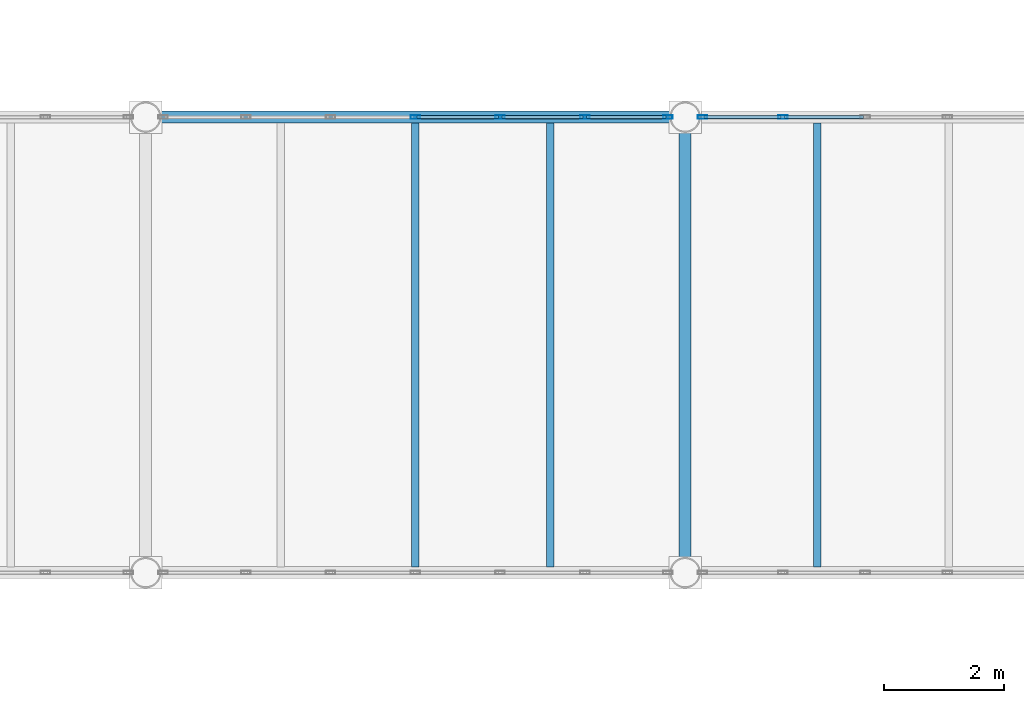
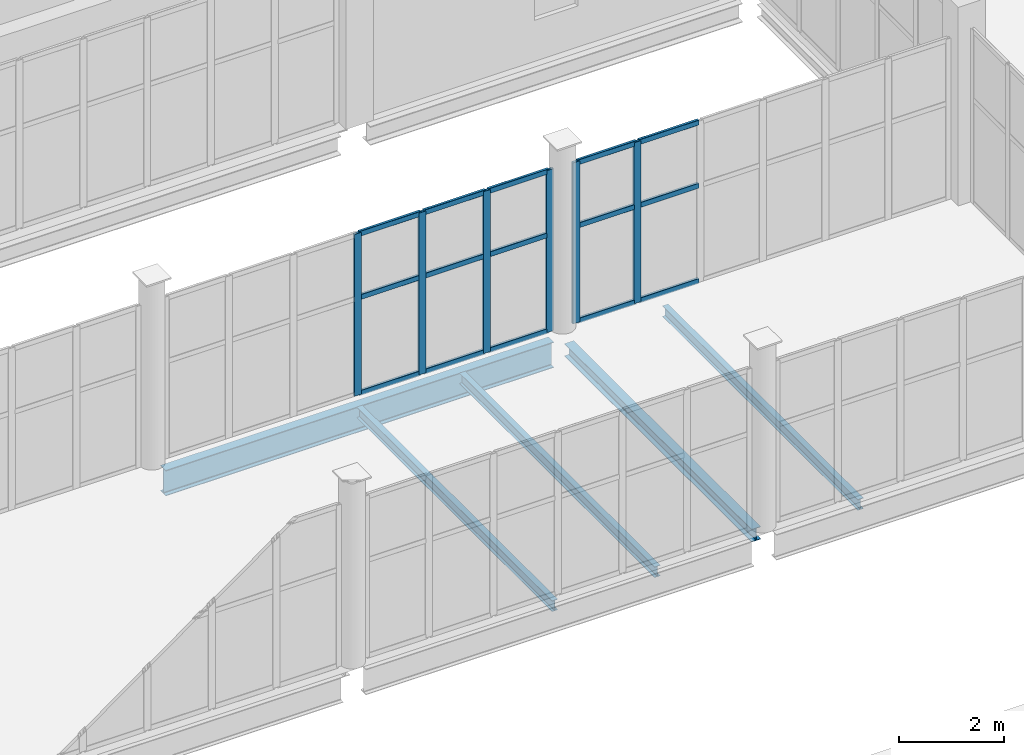
# One storey, part 86 of 136: 21 members, 5 beams, 2 elements without a shape of their own.
"""IFC4 building model written with IfcOpenShell, lengths in metres."""

from ifc_helpers import new_model, si_unit, direction, frame, origin, origin_2d, place, context, subcontext, project, spatial, hollow_rectangle, i_section, extrude, material, material_profile, profile_set, type_object, element, aggregate, save


model = new_model("IFC4")

# Units and contexts
model_context = context("Model", 3, precision=1e-05, world=origin(), true_north=direction((0.0, 1.0)))
body_context = subcontext(model_context, "Body", "Model", "MODEL_VIEW")
ifc_project = project(units=[si_unit("LENGTHUNIT", "METRE"), si_unit("AREAUNIT", "SQUARE_METRE"), si_unit("VOLUMEUNIT", "CUBIC_METRE"), si_unit("PLANEANGLEUNIT", "RADIAN"), si_unit("MASSUNIT", "GRAM", prefix="KILO")], contexts=[model_context])

# Site, building, storey
site_placement = place(None, origin())
site = spatial("IfcSite", under=ifc_project, at=site_placement, CompositionType="ELEMENT")
building_placement = place(site_placement, origin())
building = spatial("IfcBuilding", under=site, at=building_placement, Name="Shengluoqiao Park Theatre", CompositionType="ELEMENT")
storey_placement = place(building_placement, frame((0.0, 0.0, 10.0)))
storey = spatial("IfcBuildingStorey", under=building, at=storey_placement, Name="L02", CompositionType="ELEMENT", Elevation=10.0)

# Curtain wall, members
ifc_material_1 = material(Name="Aluminium 6063-T6", Category="aluminium")
curtain_wall_type = type_object("IfcCurtainWallType", Name="ENV-CW-BRIDGE", PredefinedType="NOTDEFINED", material=ifc_material_1)
curtain_wall_1_placement = place(storey_placement, origin())
curtain_wall_1 = element("IfcCurtainWall", 1, at=curtain_wall_1_placement, inside=storey, type_object=curtain_wall_type, Name="L02 Curtain Wall CWX-L02-0121", PredefinedType="NOTDEFINED")
ifc_material_profile_1 = material_profile(ifc_material_1, hollow_rectangle(XDim=0.06005859375, YDim=0.159912109375, WallThickness=0.00390625, InnerFilletRadius=0.00390625, OuterFilletRadius=0.008056640625, at=origin_2d()), Name="ALU MULLION 160x60x4")
ifc_profile_set_1 = profile_set([ifc_material_profile_1], Name="Aluminium 6063-T6")
member_type_1 = type_object("IfcMemberType", Name="ENV-MUL-160", PredefinedType="MULLION", material=ifc_profile_set_1)
member_1_placement = place(storey_placement, frame((143.89990234375, 76.0, 0.0), z_axis=(0.0, 0.0, 1.0), x_axis=(0.0, 1.0, 0.0)))
member_1 = element("IfcMember", 2, at=member_1_placement, type_object=member_type_1, Name="CW-03 mullion 4", PredefinedType="MULLION", context=body_context, shape_type="SweptSolid", body=[
    extrude(hollow_rectangle(XDim=0.06005859375, YDim=0.159912109375, WallThickness=0.00390625, InnerFilletRadius=0.00390625, OuterFilletRadius=0.008056640625, at=origin_2d()), origin(), (0.0, 0.0, 1.0), 3.751953125),
])
member_2_placement = place(storey_placement, frame((145.31396484375, 76.0, 0.0), z_axis=(0.0, 0.0, 1.0), x_axis=(0.0, 1.0, 0.0)))
member_2 = element("IfcMember", 3, at=member_2_placement, type_object=member_type_1, Name="CW-03 mullion 5", PredefinedType="MULLION", context=body_context, shape_type="SweptSolid", body=[
    extrude(hollow_rectangle(XDim=0.06005859375, YDim=0.159912109375, WallThickness=0.00390625, InnerFilletRadius=0.00390625, OuterFilletRadius=0.008056640625, at=origin_2d()), origin(), (0.0, 0.0, 1.0), 3.751953125),
])
member_3_placement = place(storey_placement, frame((146.72802734375, 76.0, 0.0), z_axis=(0.0, 0.0, 1.0), x_axis=(0.0, 1.0, 0.0)))
member_3 = element("IfcMember", 4, at=member_3_placement, type_object=member_type_1, Name="CW-03 mullion 6", PredefinedType="MULLION", context=body_context, shape_type="SweptSolid", body=[
    extrude(hollow_rectangle(XDim=0.06005859375, YDim=0.159912109375, WallThickness=0.00390625, InnerFilletRadius=0.00390625, OuterFilletRadius=0.008056640625, at=origin_2d()), origin(), (0.0, 0.0, 1.0), 3.751953125),
])
member_4_placement = place(storey_placement, frame((148.112060546875, 76.0, 0.0), z_axis=(0.0, 0.0, 1.0), x_axis=(0.0, 1.0, 0.0)))
member_4 = element("IfcMember", 5, at=member_4_placement, type_object=member_type_1, Name="CW-03 mullion 7", PredefinedType="MULLION", context=body_context, shape_type="SweptSolid", body=[
    extrude(hollow_rectangle(XDim=0.06005859375, YDim=0.159912109375, WallThickness=0.00390625, InnerFilletRadius=0.00390625, OuterFilletRadius=0.008056640625, at=origin_2d()), origin(), (0.0, 0.0, 1.0), 3.751953125),
])

curtain_wall_2_placement = place(storey_placement, origin())
curtain_wall_2 = element("IfcCurtainWall", 6, at=curtain_wall_2_placement, inside=storey, type_object=curtain_wall_type, Name="L02 Curtain Wall CWX-L02-0122", PredefinedType="NOTDEFINED")
member_5_placement = place(storey_placement, frame((148.68798828125, 76.0, 0.0), z_axis=(0.0, 0.0, 1.0), x_axis=(0.0, 1.0, 0.0)))
member_5 = element("IfcMember", 7, at=member_5_placement, type_object=member_type_1, Name="CW-03 mullion 1", PredefinedType="MULLION", context=body_context, shape_type="SweptSolid", body=[
    extrude(hollow_rectangle(XDim=0.06005859375, YDim=0.159912109375, WallThickness=0.00390625, InnerFilletRadius=0.00390625, OuterFilletRadius=0.008056640625, at=origin_2d()), origin(), (0.0, 0.0, 1.0), 3.73193359375),
])
member_6_placement = place(storey_placement, frame((150.031005859375, 76.0, 0.0), z_axis=(0.0, 0.0, 1.0), x_axis=(0.0, 1.0, 0.0)))
member_6 = element("IfcMember", 8, at=member_6_placement, type_object=member_type_1, Name="CW-03 mullion 2", PredefinedType="MULLION", context=body_context, shape_type="SweptSolid", body=[
    extrude(hollow_rectangle(XDim=0.06005859375, YDim=0.159912109375, WallThickness=0.00390625, InnerFilletRadius=0.00390625, OuterFilletRadius=0.008056640625, at=origin_2d()), origin(), (0.0, 0.0, 1.0), 3.73193359375),
])

# Member
ifc_material_profile_2 = material_profile(ifc_material_1, hollow_rectangle(XDim=0.06005859375, YDim=0.1201171875, WallThickness=0.00390625, InnerFilletRadius=0.00390625, OuterFilletRadius=0.008056640625, at=origin_2d()), Name="ALU TRANSOM 120x60x4")
ifc_profile_set_2 = profile_set([ifc_material_profile_2], Name="Aluminium 6063-T6")
member_type_2 = type_object("IfcMemberType", Name="ENV-TRN-120", PredefinedType="USERDEFINED", material=ifc_profile_set_2)
member_7_placement = place(storey_placement, frame((143.929931640625, 76.0, 0.030029296875), z_axis=(1.0, 0.0, 0.0), x_axis=(0.0, 1.0, 0.0)))
member_7 = element("IfcMember", 9, at=member_7_placement, type_object=member_type_2, Name="CW-03 transom 4.1", ObjectType="TRANSOM", PredefinedType="USERDEFINED", context=body_context, shape_type="SweptSolid", body=[
    extrude(hollow_rectangle(XDim=0.06005859375, YDim=0.1201171875, WallThickness=0.00390625, InnerFilletRadius=0.00390625, OuterFilletRadius=0.008056640625, at=origin_2d()), origin(), (0.0, 0.0, 1.0), 1.35400390625),
])

member_8_placement = place(storey_placement, frame((143.929931640625, 76.0, 2.2509765625), z_axis=(1.0, 0.0, 0.0), x_axis=(0.0, 1.0, 0.0)))
member_8 = element("IfcMember", 10, at=member_8_placement, type_object=member_type_2, Name="CW-03 transom 4.2", ObjectType="TRANSOM", PredefinedType="USERDEFINED", context=body_context, shape_type="SweptSolid", body=[
    extrude(hollow_rectangle(XDim=0.06005859375, YDim=0.1201171875, WallThickness=0.00390625, InnerFilletRadius=0.00390625, OuterFilletRadius=0.008056640625, at=origin_2d()), origin(), (0.0, 0.0, 1.0), 1.35400390625),
])

member_9_placement = place(storey_placement, frame((143.929931640625, 76.0, 3.721923828125), z_axis=(1.0, 0.0, 0.0), x_axis=(0.0, 1.0, 0.0)))
member_9 = element("IfcMember", 11, at=member_9_placement, type_object=member_type_2, Name="CW-03 transom 4.3", ObjectType="TRANSOM", PredefinedType="USERDEFINED", context=body_context, shape_type="SweptSolid", body=[
    extrude(hollow_rectangle(XDim=0.06005859375, YDim=0.1201171875, WallThickness=0.00390625, InnerFilletRadius=0.00390625, OuterFilletRadius=0.008056640625, at=origin_2d()), origin(), (0.0, 0.0, 1.0), 1.35400390625),
])

member_10_placement = place(storey_placement, frame((145.343994140625, 76.0, 0.030029296875), z_axis=(1.0, 0.0, 0.0), x_axis=(0.0, 1.0, 0.0)))
member_10 = element("IfcMember", 12, at=member_10_placement, type_object=member_type_2, Name="CW-03 transom 5.1", ObjectType="TRANSOM", PredefinedType="USERDEFINED", context=body_context, shape_type="SweptSolid", body=[
    extrude(hollow_rectangle(XDim=0.06005859375, YDim=0.1201171875, WallThickness=0.00390625, InnerFilletRadius=0.00390625, OuterFilletRadius=0.008056640625, at=origin_2d()), origin(), (0.0, 0.0, 1.0), 1.35400390625),
])

member_11_placement = place(storey_placement, frame((145.343994140625, 76.0, 2.2509765625), z_axis=(1.0, 0.0, 0.0), x_axis=(0.0, 1.0, 0.0)))
member_11 = element("IfcMember", 13, at=member_11_placement, type_object=member_type_2, Name="CW-03 transom 5.2", ObjectType="TRANSOM", PredefinedType="USERDEFINED", context=body_context, shape_type="SweptSolid", body=[
    extrude(hollow_rectangle(XDim=0.06005859375, YDim=0.1201171875, WallThickness=0.00390625, InnerFilletRadius=0.00390625, OuterFilletRadius=0.008056640625, at=origin_2d()), origin(), (0.0, 0.0, 1.0), 1.35400390625),
])

member_12_placement = place(storey_placement, frame((145.343994140625, 76.0, 3.721923828125), z_axis=(1.0, 0.0, 0.0), x_axis=(0.0, 1.0, 0.0)))
member_12 = element("IfcMember", 14, at=member_12_placement, type_object=member_type_2, Name="CW-03 transom 5.3", ObjectType="TRANSOM", PredefinedType="USERDEFINED", context=body_context, shape_type="SweptSolid", body=[
    extrude(hollow_rectangle(XDim=0.06005859375, YDim=0.1201171875, WallThickness=0.00390625, InnerFilletRadius=0.00390625, OuterFilletRadius=0.008056640625, at=origin_2d()), origin(), (0.0, 0.0, 1.0), 1.35400390625),
])

member_13_placement = place(storey_placement, frame((146.758056640625, 76.0, 0.030029296875), z_axis=(1.0, 0.0, 0.0), x_axis=(0.0, 1.0, 0.0)))
member_13 = element("IfcMember", 15, at=member_13_placement, type_object=member_type_2, Name="CW-03 transom 6.1", ObjectType="TRANSOM", PredefinedType="USERDEFINED", context=body_context, shape_type="SweptSolid", body=[
    extrude(hollow_rectangle(XDim=0.06005859375, YDim=0.1201171875, WallThickness=0.00390625, InnerFilletRadius=0.00390625, OuterFilletRadius=0.008056640625, at=origin_2d()), origin(), (0.0, 0.0, 1.0), 1.323974609375),
])

member_14_placement = place(storey_placement, frame((146.758056640625, 76.0, 2.2509765625), z_axis=(1.0, 0.0, 0.0), x_axis=(0.0, 1.0, 0.0)))
member_14 = element("IfcMember", 16, at=member_14_placement, type_object=member_type_2, Name="CW-03 transom 6.2", ObjectType="TRANSOM", PredefinedType="USERDEFINED", context=body_context, shape_type="SweptSolid", body=[
    extrude(hollow_rectangle(XDim=0.06005859375, YDim=0.1201171875, WallThickness=0.00390625, InnerFilletRadius=0.00390625, OuterFilletRadius=0.008056640625, at=origin_2d()), origin(), (0.0, 0.0, 1.0), 1.323974609375),
])

member_15_placement = place(storey_placement, frame((146.758056640625, 76.0, 3.721923828125), z_axis=(1.0, 0.0, 0.0), x_axis=(0.0, 1.0, 0.0)))
member_15 = element("IfcMember", 17, at=member_15_placement, type_object=member_type_2, Name="CW-03 transom 6.3", ObjectType="TRANSOM", PredefinedType="USERDEFINED", context=body_context, shape_type="SweptSolid", body=[
    extrude(hollow_rectangle(XDim=0.06005859375, YDim=0.1201171875, WallThickness=0.00390625, InnerFilletRadius=0.00390625, OuterFilletRadius=0.008056640625, at=origin_2d()), origin(), (0.0, 0.0, 1.0), 1.323974609375),
])

aggregate(curtain_wall_1, [member_1, member_2, member_3, member_4, member_7, member_8, member_9, member_10, member_11, member_12, member_13, member_14, member_15])

member_16_placement = place(storey_placement, frame((148.718017578125, 76.0, 0.030029296875), z_axis=(1.0, 0.0, 0.0), x_axis=(0.0, 1.0, 0.0)))
member_16 = element("IfcMember", 18, at=member_16_placement, type_object=member_type_2, Name="CW-03 transom 1.1", ObjectType="TRANSOM", PredefinedType="USERDEFINED", context=body_context, shape_type="SweptSolid", body=[
    extrude(hollow_rectangle(XDim=0.06005859375, YDim=0.1201171875, WallThickness=0.00390625, InnerFilletRadius=0.00390625, OuterFilletRadius=0.008056640625, at=origin_2d()), origin(), (0.0, 0.0, 1.0), 1.282958984375),
])

member_17_placement = place(storey_placement, frame((148.718017578125, 76.0, 2.239013671875), z_axis=(1.0, 0.0, 0.0), x_axis=(0.0, 1.0, 0.0)))
member_17 = element("IfcMember", 19, at=member_17_placement, type_object=member_type_2, Name="CW-03 transom 1.2", ObjectType="TRANSOM", PredefinedType="USERDEFINED", context=body_context, shape_type="SweptSolid", body=[
    extrude(hollow_rectangle(XDim=0.06005859375, YDim=0.1201171875, WallThickness=0.00390625, InnerFilletRadius=0.00390625, OuterFilletRadius=0.008056640625, at=origin_2d()), origin(), (0.0, 0.0, 1.0), 1.282958984375),
])

member_18_placement = place(storey_placement, frame((148.718017578125, 76.0, 3.701904296875), z_axis=(1.0, 0.0, 0.0), x_axis=(0.0, 1.0, 0.0)))
member_18 = element("IfcMember", 20, at=member_18_placement, type_object=member_type_2, Name="CW-03 transom 1.3", ObjectType="TRANSOM", PredefinedType="USERDEFINED", context=body_context, shape_type="SweptSolid", body=[
    extrude(hollow_rectangle(XDim=0.06005859375, YDim=0.1201171875, WallThickness=0.00390625, InnerFilletRadius=0.00390625, OuterFilletRadius=0.008056640625, at=origin_2d()), origin(), (0.0, 0.0, 1.0), 1.282958984375),
])

member_19_placement = place(storey_placement, frame((150.06103515625, 76.0, 0.030029296875), z_axis=(1.0, 0.0, 0.0), x_axis=(0.0, 1.0, 0.0)))
member_19 = element("IfcMember", 21, at=member_19_placement, type_object=member_type_2, Name="CW-03 transom 2.1", ObjectType="TRANSOM", PredefinedType="USERDEFINED", context=body_context, shape_type="SweptSolid", body=[
    extrude(hollow_rectangle(XDim=0.06005859375, YDim=0.1201171875, WallThickness=0.00390625, InnerFilletRadius=0.00390625, OuterFilletRadius=0.008056640625, at=origin_2d()), origin(), (0.0, 0.0, 1.0), 1.31298828125),
])

member_20_placement = place(storey_placement, frame((150.06103515625, 76.0, 2.239013671875), z_axis=(1.0, 0.0, 0.0), x_axis=(0.0, 1.0, 0.0)))
member_20 = element("IfcMember", 22, at=member_20_placement, type_object=member_type_2, Name="CW-03 transom 2.2", ObjectType="TRANSOM", PredefinedType="USERDEFINED", context=body_context, shape_type="SweptSolid", body=[
    extrude(hollow_rectangle(XDim=0.06005859375, YDim=0.1201171875, WallThickness=0.00390625, InnerFilletRadius=0.00390625, OuterFilletRadius=0.008056640625, at=origin_2d()), origin(), (0.0, 0.0, 1.0), 1.31298828125),
])

member_21_placement = place(storey_placement, frame((150.06103515625, 76.0, 3.701904296875), z_axis=(1.0, 0.0, 0.0), x_axis=(0.0, 1.0, 0.0)))
member_21 = element("IfcMember", 23, at=member_21_placement, type_object=member_type_2, Name="CW-03 transom 2.3", ObjectType="TRANSOM", PredefinedType="USERDEFINED", context=body_context, shape_type="SweptSolid", body=[
    extrude(hollow_rectangle(XDim=0.06005859375, YDim=0.1201171875, WallThickness=0.00390625, InnerFilletRadius=0.00390625, OuterFilletRadius=0.008056640625, at=origin_2d()), origin(), (0.0, 0.0, 1.0), 1.31298828125),
])

aggregate(curtain_wall_2, [member_5, member_6, member_16, member_17, member_18, member_19, member_20, member_21])

# Beams
ifc_material_2 = material(Name="Steel Q355", Category="steel")
ifc_material_profile_3 = material_profile(ifc_material_2, i_section(OverallWidth=0.199951171875, OverallDepth=0.2939453125, WebThickness=0.008056640625, FlangeThickness=0.011962890625, FilletRadius=0.01611328125, at=origin_2d()), Name="HM 294x200x8x12")
ifc_profile_set_3 = profile_set([ifc_material_profile_3], Name="Steel Q355")
beam_type_1 = type_object("IfcBeamType", Name="STR-BM-G-HM294", PredefinedType="BEAM", material=ifc_profile_set_3)
beam_1_placement = place(storey_placement, frame((148.39990234375, 68.64794921875, -0.35693359375), z_axis=(0.0, 1.0, 0.0), x_axis=(-1.0, 0.0, 0.0)))
element("IfcBeam", 24, at=beam_1_placement, inside=storey, type_object=beam_type_1, Name="L02 Transverse Girder 01027", PredefinedType="BEAM", context=body_context, shape_type="SweptSolid", body=[
    extrude(i_section(OverallWidth=0.199951171875, OverallDepth=0.2939453125, WebThickness=0.008056640625, FlangeThickness=0.011962890625, FilletRadius=0.01611328125, at=origin_2d()), origin(), (0.0, 0.0, 1.0), 7.10400390625),
])
ifc_material_profile_4 = material_profile(ifc_material_2, i_section(OverallWidth=0.125, OverallDepth=0.25, WebThickness=0.006103515625, FlangeThickness=0.009033203125, FilletRadius=0.010009765625, at=origin_2d()), Name="HN 250x125x6x9")
ifc_profile_set_4 = profile_set([ifc_material_profile_4], Name="Steel Q355")
beam_type_2 = type_object("IfcBeamType", Name="STR-BM-J-HN250", PredefinedType="JOIST", material=ifc_profile_set_4)
for number, where, z_axis, x_axis, name in (
    (25, (143.89990234375, 68.494384765625, -0.3349609375), (0.0, 1.0, 0.0), (-1.0, 0.0, 0.0), "L02 Composite Joist 01048"),
    (26, (146.14990234375, 68.494384765625, -0.3349609375), (0.0, 1.0, 0.0), (-1.0, 0.0, 0.0), "L02 Composite Joist 01049"),
    (27, (150.60009765625, 68.494384765625, -0.3349609375), (0.0, 1.0, 0.0), (-1.0, 0.0, 0.0), "L02 Composite Joist 01050"),
):
    element("IfcBeam", number, at=place(storey_placement, frame(where, z_axis=z_axis, x_axis=x_axis)), inside=storey, type_object=beam_type_2, Name=name, PredefinedType="JOIST", context=body_context, shape_type="SweptSolid", body=[
        extrude(i_section(OverallWidth=0.125, OverallDepth=0.25, WebThickness=0.006103515625, FlangeThickness=0.009033203125, FilletRadius=0.010009765625, at=origin_2d()), origin(), (0.0, 0.0, 1.0), 7.4111328125),
    ])
ifc_material_profile_5 = material_profile(ifc_material_2, i_section(OverallWidth=0.198974609375, OverallDepth=0.595947265625, WebThickness=0.010009765625, FlangeThickness=0.014892578125, FilletRadius=0.02001953125, at=origin_2d()), Name="HN 596x199x10x15")
ifc_profile_set_5 = profile_set([ifc_material_profile_5], Name="Steel Q355")
beam_type_3 = type_object("IfcBeamType", Name="STR-BM-SP-HN596", PredefinedType="SPANDREL", material=ifc_profile_set_5)
beam_2_placement = place(storey_placement, frame((139.64794921875, 76.0, -0.508056640625), z_axis=(1.0, 0.0, 0.0), x_axis=(0.0, 1.0, 0.0)))
element("IfcBeam", 28, at=beam_2_placement, inside=storey, type_object=beam_type_3, Name="L02 Primary Girder 01019", PredefinedType="SPANDREL", context=body_context, shape_type="SweptSolid", body=[
    extrude(i_section(OverallWidth=0.198974609375, OverallDepth=0.595947265625, WebThickness=0.010009765625, FlangeThickness=0.014892578125, FilletRadius=0.02001953125, at=origin_2d()), origin(), (0.0, 0.0, 1.0), 8.504150390625),
])

save(model, "model.ifc")
